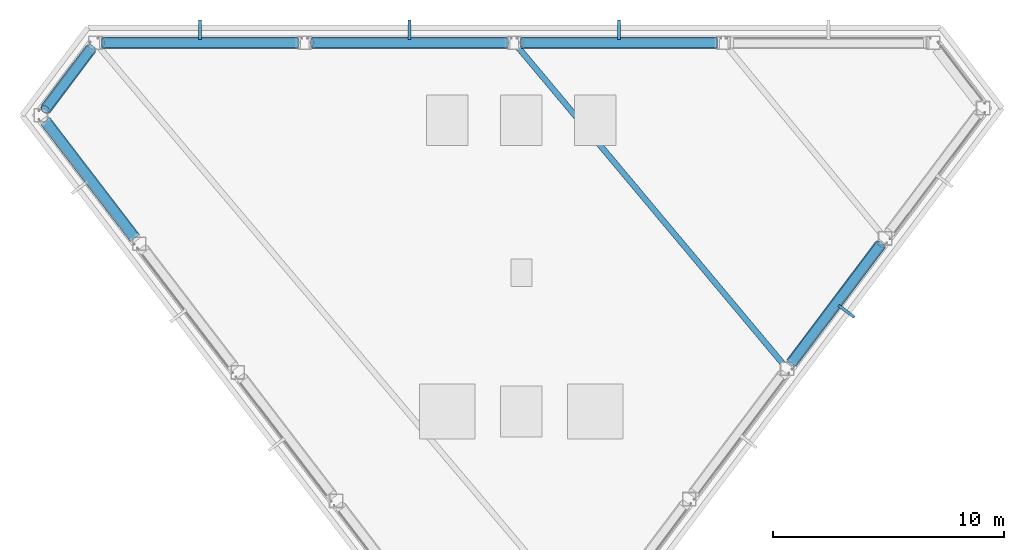
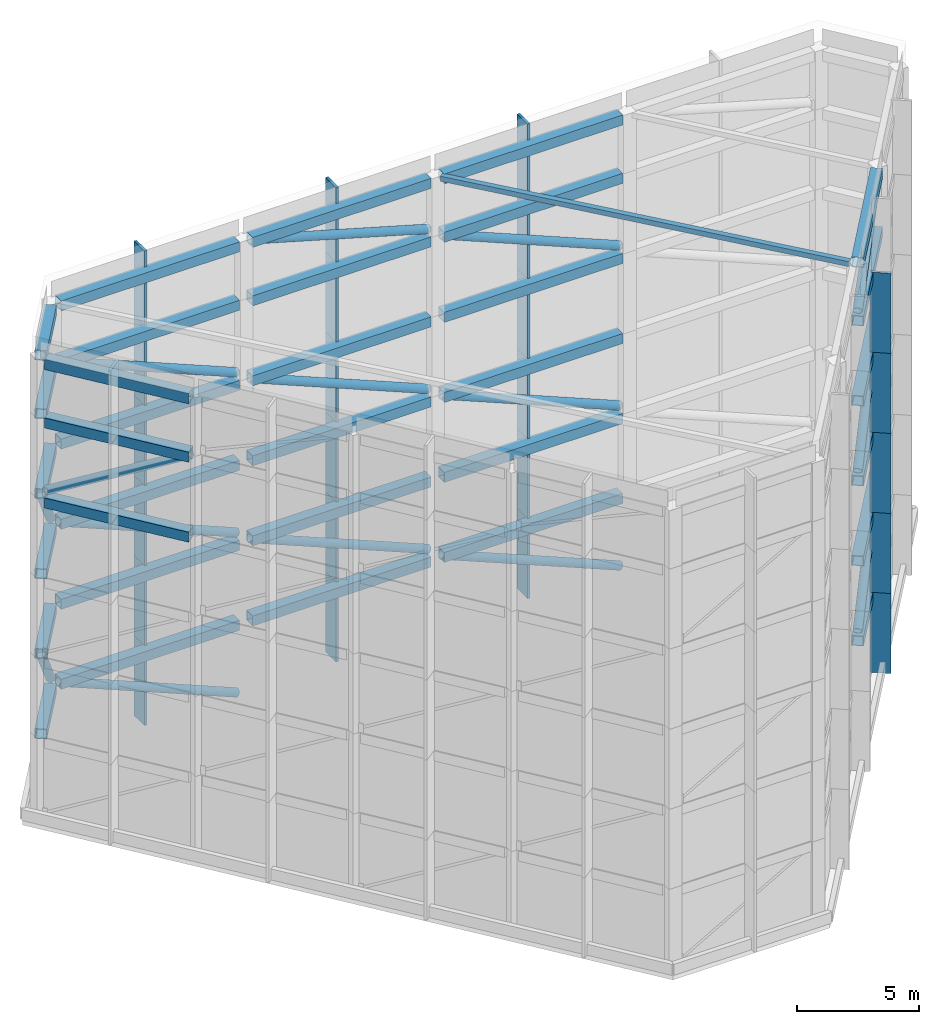
# One storey, part 3 of 6: 40 members, 33 beams, 1 element without a shape of its own.
"""IFC4 building model written with IfcOpenShell, lengths in metres."""

from ifc_helpers import new_model, si_unit, direction, frame, origin, origin_2d, place, context, subcontext, project, spatial, rectangle, hollow_rectangle, hollow_circle, extrude, material, layer, layer_set, material_profile, profile_set, type_object, element, aggregate, save


model = new_model("IFC4")

# Units and contexts
model_context = context("Model", 3, precision=1e-05, world=origin(), true_north=direction((0.0, 1.0)))
body_context = subcontext(model_context, "Body", "Model", "MODEL_VIEW")
ifc_project = project(units=[si_unit("LENGTHUNIT", "METRE"), si_unit("AREAUNIT", "SQUARE_METRE"), si_unit("VOLUMEUNIT", "CUBIC_METRE"), si_unit("PLANEANGLEUNIT", "RADIAN"), si_unit("MASSUNIT", "GRAM", prefix="KILO")], contexts=[model_context])

# Site, building, storey
site_placement = place(None, origin())
site = spatial("IfcSite", under=ifc_project, at=site_placement, CompositionType="ELEMENT")
building_placement = place(site_placement, origin())
building = spatial("IfcBuilding", under=site, at=building_placement, Name="Zarrinselat Tower", CompositionType="ELEMENT")
storey_placement = place(building_placement, frame((0.0, 0.0, 303.280029296875)))
storey = spatial("IfcBuildingStorey", under=building, at=storey_placement, Name="RF", CompositionType="ELEMENT", Elevation=303.280029296875)

# Beams
ifc_material_1 = material(Name="Steel S355J2", Category="steel")
ifc_material_profile_1 = material_profile(ifc_material_1, hollow_rectangle(XDim=0.5, YDim=0.5, WallThickness=0.02490234375, at=origin_2d()), Name="SHS 500x500x25")
ifc_profile_set_1 = profile_set([ifc_material_profile_1], Name="Steel S355J2")
beam_type = type_object("IfcBeamType", Name="BM-CROWN-RING", PredefinedType="BEAM", material=ifc_profile_set_1)
for number, where, z_axis, x_axis, name in (
    (1, (46.838623046875, 46.75, 3.75), (-1.0, 0.0, 0.0), (0.0, -1.0, 0.0), "RF CROWN FRAME Tier 1 Ring Beam R02"),
    (2, (37.779296875, 46.75, 3.75), (-1.0, 0.0, 0.0), (0.0, -1.0, 0.0), "RF CROWN FRAME Tier 1 Ring Beam R03"),
    (3, (28.719970703125, 46.75, 3.75), (-1.0, 0.0, 0.0), (0.0, -1.0, 0.0), "RF CROWN FRAME Tier 1 Ring Beam R04"),
):
    element("IfcBeam", number, at=place(storey_placement, frame(where, z_axis=z_axis, x_axis=x_axis)), inside=storey, type_object=beam_type, Name=name, PredefinedType="BEAM", context=body_context, shape_type="SweptSolid", body=[
        extrude(hollow_rectangle(XDim=0.5, YDim=0.5, WallThickness=0.02490234375, at=origin_2d()), origin(), (0.0, 0.0, 1.0), 8.435302734375),
    ])
beam_1_placement = place(storey_placement, frame((19.78515625, 46.50048828125, 3.75), z_axis=(-0.600864372988, -0.799350990038, 0.0), x_axis=(0.799350990038, -0.600864372988, 0.0)))
element("IfcBeam", 4, at=beam_1_placement, inside=storey, type_object=beam_type, Name="RF CROWN FRAME Tier 1 Ring Beam R05", PredefinedType="BEAM", context=body_context, shape_type="SweptSolid", body=[
    extrude(hollow_rectangle(XDim=0.5, YDim=0.5, WallThickness=0.02490234375, at=origin_2d()), origin(), (0.0, 0.0, 1.0), 3.297607421875),
])
beam_2_placement = place(storey_placement, frame((50.086181640625, 32.89794921875, 3.75), z_axis=(0.600850368573, 0.799361516828, 0.0), x_axis=(-0.799361516828, 0.600850368573, 0.0)))
element("IfcBeam", 5, at=beam_2_placement, inside=storey, type_object=beam_type, Name="RF CROWN FRAME Tier 1 Ring Beam R13", PredefinedType="BEAM", context=body_context, shape_type="SweptSolid", body=[
    extrude(hollow_rectangle(XDim=0.5, YDim=0.5, WallThickness=0.02490234375, at=origin_2d()), origin(), (0.0, 0.0, 1.0), 6.428466796875),
])
for number, where, z_axis, x_axis, name in (
    (6, (46.838623046875, 46.75, 7.75), (-1.0, 0.0, 0.0), (0.0, -1.0, 0.0), "RF CROWN FRAME Tier 2 Ring Beam R02"),
    (7, (37.779296875, 46.75, 7.75), (-1.0, 0.0, 0.0), (0.0, -1.0, 0.0), "RF CROWN FRAME Tier 2 Ring Beam R03"),
    (8, (28.719970703125, 46.75, 7.75), (-1.0, 0.0, 0.0), (0.0, -1.0, 0.0), "RF CROWN FRAME Tier 2 Ring Beam R04"),
):
    element("IfcBeam", number, at=place(storey_placement, frame(where, z_axis=z_axis, x_axis=x_axis)), inside=storey, type_object=beam_type, Name=name, PredefinedType="BEAM", context=body_context, shape_type="SweptSolid", body=[
        extrude(hollow_rectangle(XDim=0.5, YDim=0.5, WallThickness=0.02490234375, at=origin_2d()), origin(), (0.0, 0.0, 1.0), 8.435302734375),
    ])
beam_3_placement = place(storey_placement, frame((19.78515625, 46.50048828125, 7.75), z_axis=(-0.600864372988, -0.799350990038, 0.0), x_axis=(0.799350990038, -0.600864372988, 0.0)))
element("IfcBeam", 9, at=beam_3_placement, inside=storey, type_object=beam_type, Name="RF CROWN FRAME Tier 2 Ring Beam R05", PredefinedType="BEAM", context=body_context, shape_type="SweptSolid", body=[
    extrude(hollow_rectangle(XDim=0.5, YDim=0.5, WallThickness=0.02490234375, at=origin_2d()), origin(), (0.0, 0.0, 1.0), 3.297607421875),
])
beam_4_placement = place(storey_placement, frame((50.086181640625, 32.89794921875, 7.75), z_axis=(0.600850368573, 0.799361516828, 0.0), x_axis=(-0.799361516828, 0.600850368573, 0.0)))
element("IfcBeam", 10, at=beam_4_placement, inside=storey, type_object=beam_type, Name="RF CROWN FRAME Tier 2 Ring Beam R13", PredefinedType="BEAM", context=body_context, shape_type="SweptSolid", body=[
    extrude(hollow_rectangle(XDim=0.5, YDim=0.5, WallThickness=0.02490234375, at=origin_2d()), origin(), (0.0, 0.0, 1.0), 6.428466796875),
])
for number, where, z_axis, x_axis, name in (
    (11, (46.838623046875, 46.75, 11.75), (-1.0, 0.0, 0.0), (0.0, -1.0, 0.0), "RF CROWN FRAME Tier 3 Ring Beam R02"),
    (12, (37.779296875, 46.75, 11.75), (-1.0, 0.0, 0.0), (0.0, -1.0, 0.0), "RF CROWN FRAME Tier 3 Ring Beam R03"),
    (13, (28.719970703125, 46.75, 11.75), (-1.0, 0.0, 0.0), (0.0, -1.0, 0.0), "RF CROWN FRAME Tier 3 Ring Beam R04"),
):
    element("IfcBeam", number, at=place(storey_placement, frame(where, z_axis=z_axis, x_axis=x_axis)), inside=storey, type_object=beam_type, Name=name, PredefinedType="BEAM", context=body_context, shape_type="SweptSolid", body=[
        extrude(hollow_rectangle(XDim=0.5, YDim=0.5, WallThickness=0.02490234375, at=origin_2d()), origin(), (0.0, 0.0, 1.0), 8.435302734375),
    ])
beam_5_placement = place(storey_placement, frame((19.78515625, 46.50048828125, 11.75), z_axis=(-0.600864372988, -0.799350990038, 0.0), x_axis=(0.799350990038, -0.600864372988, 0.0)))
element("IfcBeam", 14, at=beam_5_placement, inside=storey, type_object=beam_type, Name="RF CROWN FRAME Tier 3 Ring Beam R05", PredefinedType="BEAM", context=body_context, shape_type="SweptSolid", body=[
    extrude(hollow_rectangle(XDim=0.5, YDim=0.5, WallThickness=0.02490234375, at=origin_2d()), origin(), (0.0, 0.0, 1.0), 3.297607421875),
])
beam_6_placement = place(storey_placement, frame((50.086181640625, 32.89794921875, 11.75), z_axis=(0.600850368573, 0.799361516828, 0.0), x_axis=(-0.799361516828, 0.600850368573, 0.0)))
element("IfcBeam", 15, at=beam_6_placement, inside=storey, type_object=beam_type, Name="RF CROWN FRAME Tier 3 Ring Beam R13", PredefinedType="BEAM", context=body_context, shape_type="SweptSolid", body=[
    extrude(hollow_rectangle(XDim=0.5, YDim=0.5, WallThickness=0.02490234375, at=origin_2d()), origin(), (0.0, 0.0, 1.0), 6.428466796875),
])
for number, where, z_axis, x_axis, name in (
    (16, (46.838623046875, 46.75, 15.75), (-1.0, 0.0, 0.0), (0.0, -1.0, 0.0), "RF CROWN FRAME Tier 4 Ring Beam R02"),
    (17, (37.779296875, 46.75, 15.75), (-1.0, 0.0, 0.0), (0.0, -1.0, 0.0), "RF CROWN FRAME Tier 4 Ring Beam R03"),
    (18, (28.719970703125, 46.75, 15.75), (-1.0, 0.0, 0.0), (0.0, -1.0, 0.0), "RF CROWN FRAME Tier 4 Ring Beam R04"),
):
    element("IfcBeam", number, at=place(storey_placement, frame(where, z_axis=z_axis, x_axis=x_axis)), inside=storey, type_object=beam_type, Name=name, PredefinedType="BEAM", context=body_context, shape_type="SweptSolid", body=[
        extrude(hollow_rectangle(XDim=0.5, YDim=0.5, WallThickness=0.02490234375, at=origin_2d()), origin(), (0.0, 0.0, 1.0), 8.435302734375),
    ])
beam_7_placement = place(storey_placement, frame((19.78515625, 46.50048828125, 15.75), z_axis=(-0.600864372988, -0.799350990038, 0.0), x_axis=(0.799350990038, -0.600864372988, 0.0)))
element("IfcBeam", 19, at=beam_7_placement, inside=storey, type_object=beam_type, Name="RF CROWN FRAME Tier 4 Ring Beam R05", PredefinedType="BEAM", context=body_context, shape_type="SweptSolid", body=[
    extrude(hollow_rectangle(XDim=0.5, YDim=0.5, WallThickness=0.02490234375, at=origin_2d()), origin(), (0.0, 0.0, 1.0), 3.297607421875),
])
beam_8_placement = place(storey_placement, frame((17.805908203125, 43.367431640625, 15.75), z_axis=(0.60789466781, -0.794017677919, 0.0), x_axis=(0.794017677919, 0.60789466781, 0.0)))
element("IfcBeam", 20, at=beam_8_placement, inside=storey, type_object=beam_type, Name="RF CROWN FRAME Tier 4 Ring Beam R06", PredefinedType="BEAM", context=body_context, shape_type="SweptSolid", body=[
    extrude(hollow_rectangle(XDim=0.5, YDim=0.5, WallThickness=0.02490234375, at=origin_2d()), origin(), (0.0, 0.0, 1.0), 6.37890625),
])
beam_9_placement = place(storey_placement, frame((50.086181640625, 32.89794921875, 15.75), z_axis=(0.600850368573, 0.799361516828, 0.0), x_axis=(-0.799361516828, 0.600850368573, 0.0)))
element("IfcBeam", 21, at=beam_9_placement, inside=storey, type_object=beam_type, Name="RF CROWN FRAME Tier 4 Ring Beam R13", PredefinedType="BEAM", context=body_context, shape_type="SweptSolid", body=[
    extrude(hollow_rectangle(XDim=0.5, YDim=0.5, WallThickness=0.02490234375, at=origin_2d()), origin(), (0.0, 0.0, 1.0), 6.428466796875),
])
for number, where, z_axis, x_axis, name in (
    (22, (46.838623046875, 46.75, 19.75), (-1.0, 0.0, 0.0), (0.0, -1.0, 0.0), "RF CROWN FRAME Tier 5 Ring Beam R02"),
    (23, (37.779296875, 46.75, 19.75), (-1.0, 0.0, 0.0), (0.0, -1.0, 0.0), "RF CROWN FRAME Tier 5 Ring Beam R03"),
    (24, (28.719970703125, 46.75, 19.75), (-1.0, 0.0, 0.0), (0.0, -1.0, 0.0), "RF CROWN FRAME Tier 5 Ring Beam R04"),
):
    element("IfcBeam", number, at=place(storey_placement, frame(where, z_axis=z_axis, x_axis=x_axis)), inside=storey, type_object=beam_type, Name=name, PredefinedType="BEAM", context=body_context, shape_type="SweptSolid", body=[
        extrude(hollow_rectangle(XDim=0.5, YDim=0.5, WallThickness=0.02490234375, at=origin_2d()), origin(), (0.0, 0.0, 1.0), 8.435302734375),
    ])
beam_10_placement = place(storey_placement, frame((19.78515625, 46.50048828125, 19.75), z_axis=(-0.600864372988, -0.799350990038, 0.0), x_axis=(0.799350990038, -0.600864372988, 0.0)))
element("IfcBeam", 25, at=beam_10_placement, inside=storey, type_object=beam_type, Name="RF CROWN FRAME Tier 5 Ring Beam R05", PredefinedType="BEAM", context=body_context, shape_type="SweptSolid", body=[
    extrude(hollow_rectangle(XDim=0.5, YDim=0.5, WallThickness=0.02490234375, at=origin_2d()), origin(), (0.0, 0.0, 1.0), 3.297607421875),
])
beam_11_placement = place(storey_placement, frame((17.805908203125, 43.367431640625, 19.75), z_axis=(0.60789466781, -0.794017677919, 0.0), x_axis=(0.794017677919, 0.60789466781, 0.0)))
element("IfcBeam", 26, at=beam_11_placement, inside=storey, type_object=beam_type, Name="RF CROWN FRAME Tier 5 Ring Beam R06", PredefinedType="BEAM", context=body_context, shape_type="SweptSolid", body=[
    extrude(hollow_rectangle(XDim=0.5, YDim=0.5, WallThickness=0.02490234375, at=origin_2d()), origin(), (0.0, 0.0, 1.0), 6.37890625),
])
beam_12_placement = place(storey_placement, frame((50.086181640625, 32.89794921875, 19.75), z_axis=(0.600850368573, 0.799361516828, 0.0), x_axis=(-0.799361516828, 0.600850368573, 0.0)))
element("IfcBeam", 27, at=beam_12_placement, inside=storey, type_object=beam_type, Name="RF CROWN FRAME Tier 5 Ring Beam R13", PredefinedType="BEAM", context=body_context, shape_type="SweptSolid", body=[
    extrude(hollow_rectangle(XDim=0.5, YDim=0.5, WallThickness=0.02490234375, at=origin_2d()), origin(), (0.0, 0.0, 1.0), 6.428466796875),
])
for number, where, z_axis, x_axis, name in (
    (28, (46.838623046875, 46.75, 22.669921875), (-1.0, 0.0, 0.0), (0.0, -1.0, 0.0), "RF CROWN FRAME Tier 6 Ring Beam R02"),
    (29, (37.779296875, 46.75, 22.669921875), (-1.0, 0.0, 0.0), (0.0, -1.0, 0.0), "RF CROWN FRAME Tier 6 Ring Beam R03"),
    (30, (28.719970703125, 46.75, 22.669921875), (-1.0, 0.0, 0.0), (0.0, -1.0, 0.0), "RF CROWN FRAME Tier 6 Ring Beam R04"),
):
    element("IfcBeam", number, at=place(storey_placement, frame(where, z_axis=z_axis, x_axis=x_axis)), inside=storey, type_object=beam_type, Name=name, PredefinedType="BEAM", context=body_context, shape_type="SweptSolid", body=[
        extrude(hollow_rectangle(XDim=0.5, YDim=0.5, WallThickness=0.02490234375, at=origin_2d()), origin(), (0.0, 0.0, 1.0), 8.435302734375),
    ])
beam_13_placement = place(storey_placement, frame((19.78515625, 46.50048828125, 22.669921875), z_axis=(-0.600864372988, -0.799350990038, 0.0), x_axis=(0.799350990038, -0.600864372988, 0.0)))
element("IfcBeam", 31, at=beam_13_placement, inside=storey, type_object=beam_type, Name="RF CROWN FRAME Tier 6 Ring Beam R05", PredefinedType="BEAM", context=body_context, shape_type="SweptSolid", body=[
    extrude(hollow_rectangle(XDim=0.5, YDim=0.5, WallThickness=0.02490234375, at=origin_2d()), origin(), (0.0, 0.0, 1.0), 3.297607421875),
])
beam_14_placement = place(storey_placement, frame((17.805908203125, 43.367431640625, 22.669921875), z_axis=(0.60789466781, -0.794017677919, 0.0), x_axis=(0.794017677919, 0.60789466781, 0.0)))
element("IfcBeam", 32, at=beam_14_placement, inside=storey, type_object=beam_type, Name="RF CROWN FRAME Tier 6 Ring Beam R06", PredefinedType="BEAM", context=body_context, shape_type="SweptSolid", body=[
    extrude(hollow_rectangle(XDim=0.5, YDim=0.5, WallThickness=0.02490234375, at=origin_2d()), origin(), (0.0, 0.0, 1.0), 6.37890625),
])
beam_15_placement = place(storey_placement, frame((50.086181640625, 32.89794921875, 22.669921875), z_axis=(0.600850368573, 0.799361516828, 0.0), x_axis=(-0.799361516828, 0.600850368573, 0.0)))
element("IfcBeam", 33, at=beam_15_placement, inside=storey, type_object=beam_type, Name="RF CROWN FRAME Tier 6 Ring Beam R13", PredefinedType="BEAM", context=body_context, shape_type="SweptSolid", body=[
    extrude(hollow_rectangle(XDim=0.5, YDim=0.5, WallThickness=0.02490234375, at=origin_2d()), origin(), (0.0, 0.0, 1.0), 6.428466796875),
])

# Members
ifc_material_2 = material(Name="Steel S355J2", Category="steel")
ifc_material_profile_2 = material_profile(ifc_material_2, hollow_rectangle(XDim=0.25, YDim=0.25, WallThickness=0.012451171875, at=origin_2d()), Name="SHS 250x250x12.5")
ifc_profile_set_2 = profile_set([ifc_material_profile_2], Name="Steel S355J2")
member_type_1 = type_object("IfcMemberType", Name="MEM-CAP-PURLIN", PredefinedType="PURLIN", material=ifc_profile_set_2)
member_1_placement = place(storey_placement, frame((38.277587890625, 46.527587890625, 22.794921875), z_axis=(0.641978446629, -0.766722683937, 0.0), x_axis=(0.766722683937, 0.641978446629, 0.0)))
element("IfcMember", 34, at=member_1_placement, inside=storey, type_object=member_type_1, Name="RF CROWN FRAME Cap Purlin 2", PredefinedType="PURLIN", context=body_context, shape_type="SweptSolid", body=[
    extrude(hollow_rectangle(XDim=0.25, YDim=0.25, WallThickness=0.012451171875, at=origin_2d()), origin(), (0.0, 0.0, 1.0), 17.811767578125),
])
ifc_material_3 = material(Name="Steel S355J2", Category="steel")
ifc_material_profile_3 = material_profile(ifc_material_3, hollow_circle(Radius=0.203125, WallThickness=0.01611328125, at=origin_2d()), Name="CHS 406.4x16")
ifc_profile_set_3 = profile_set([ifc_material_profile_3], Name="Steel S355J2")
member_type_2 = type_object("IfcMemberType", Name="MEM-CROWN-BRACE", PredefinedType="BRACE", material=ifc_profile_set_3)
for number, where, z_axis, x_axis, name in (
    (35, (46.838623046875, 46.75, 0.25), (-0.923647733405, 0.0, 0.383242566238), (0.0, -1.0, 0.0), "RF CROWN FRAME Tier 1 Diagonal Brace B02"),
    (36, (28.719970703125, 46.75, 0.25), (-0.923647733405, 0.0, 0.383242566238), (0.0, -1.0, 0.0), "RF CROWN FRAME Tier 1 Diagonal Brace B04"),
    (37, (37.779296875, 46.75, 4.25), (-0.923647733405, 0.0, 0.383242566238), (0.0, -1.0, 0.0), "RF CROWN FRAME Tier 2 Diagonal Brace B03"),
):
    element("IfcMember", number, at=place(storey_placement, frame(where, z_axis=z_axis, x_axis=x_axis)), inside=storey, type_object=member_type_2, Name=name, PredefinedType="BRACE", context=body_context, shape_type="SweptSolid", body=[
        extrude(hollow_circle(Radius=0.203125, WallThickness=0.01611328125, at=origin_2d()), origin(), (0.0, 0.0, 1.0), 9.132568359375),
    ])
member_2_placement = place(storey_placement, frame((19.78515625, 46.50048828125, 4.25), z_axis=(-0.412045760872, -0.548158955166, 0.727832433201), x_axis=(0.799350990038, -0.600864372988, 0.0)))
element("IfcMember", 38, at=member_2_placement, inside=storey, type_object=member_type_2, Name="RF CROWN FRAME Tier 2 Diagonal Brace B05", PredefinedType="BRACE", context=body_context, shape_type="SweptSolid", body=[
    extrude(hollow_circle(Radius=0.203125, WallThickness=0.01611328125, at=origin_2d()), origin(), (0.0, 0.0, 1.0), 4.808837890625),
])
member_3_placement = place(storey_placement, frame((50.086181640625, 32.89794921875, 4.25), z_axis=(0.527705902679, 0.70205131405, 0.478174061109), x_axis=(-0.799361516828, 0.600850368573, 0.0)))
element("IfcMember", 39, at=member_3_placement, inside=storey, type_object=member_type_2, Name="RF CROWN FRAME Tier 2 Diagonal Brace B13", PredefinedType="BRACE", context=body_context, shape_type="SweptSolid", body=[
    extrude(hollow_circle(Radius=0.203125, WallThickness=0.01611328125, at=origin_2d()), origin(), (0.0, 0.0, 1.0), 7.319580078125),
])
for number, where, z_axis, x_axis, name in (
    (40, (46.838623046875, 46.75, 8.25), (-0.923647733405, 0.0, 0.383242566238), (0.0, -1.0, 0.0), "RF CROWN FRAME Tier 3 Diagonal Brace B02"),
    (41, (28.719970703125, 46.75, 8.25), (-0.923647733405, 0.0, 0.383242566238), (0.0, -1.0, 0.0), "RF CROWN FRAME Tier 3 Diagonal Brace B04"),
    (42, (37.779296875, 46.75, 12.25), (-0.923647733405, 0.0, 0.383242566238), (0.0, -1.0, 0.0), "RF CROWN FRAME Tier 4 Diagonal Brace B03"),
):
    element("IfcMember", number, at=place(storey_placement, frame(where, z_axis=z_axis, x_axis=x_axis)), inside=storey, type_object=member_type_2, Name=name, PredefinedType="BRACE", context=body_context, shape_type="SweptSolid", body=[
        extrude(hollow_circle(Radius=0.203125, WallThickness=0.01611328125, at=origin_2d()), origin(), (0.0, 0.0, 1.0), 9.132568359375),
    ])
member_4_placement = place(storey_placement, frame((19.78515625, 46.50048828125, 12.25), z_axis=(-0.412045760872, -0.548158955166, 0.727832433201), x_axis=(0.799350990038, -0.600864372988, 0.0)))
element("IfcMember", 43, at=member_4_placement, inside=storey, type_object=member_type_2, Name="RF CROWN FRAME Tier 4 Diagonal Brace B05", PredefinedType="BRACE", context=body_context, shape_type="SweptSolid", body=[
    extrude(hollow_circle(Radius=0.203125, WallThickness=0.01611328125, at=origin_2d()), origin(), (0.0, 0.0, 1.0), 4.808837890625),
])
member_5_placement = place(storey_placement, frame((50.086181640625, 32.89794921875, 12.25), z_axis=(0.527705902679, 0.70205131405, 0.478174061109), x_axis=(-0.799361516828, 0.600850368573, 0.0)))
element("IfcMember", 44, at=member_5_placement, inside=storey, type_object=member_type_2, Name="RF CROWN FRAME Tier 4 Diagonal Brace B13", PredefinedType="BRACE", context=body_context, shape_type="SweptSolid", body=[
    extrude(hollow_circle(Radius=0.203125, WallThickness=0.01611328125, at=origin_2d()), origin(), (0.0, 0.0, 1.0), 7.319580078125),
])
for number, where, z_axis, x_axis, name in (
    (45, (46.838623046875, 46.75, 16.25), (-0.923647733405, 0.0, 0.383242566238), (0.0, -1.0, 0.0), "RF CROWN FRAME Tier 5 Diagonal Brace B02"),
    (46, (28.719970703125, 46.75, 16.25), (-0.923647733405, 0.0, 0.383242566238), (0.0, -1.0, 0.0), "RF CROWN FRAME Tier 5 Diagonal Brace B04"),
):
    element("IfcMember", number, at=place(storey_placement, frame(where, z_axis=z_axis, x_axis=x_axis)), inside=storey, type_object=member_type_2, Name=name, PredefinedType="BRACE", context=body_context, shape_type="SweptSolid", body=[
        extrude(hollow_circle(Radius=0.203125, WallThickness=0.01611328125, at=origin_2d()), origin(), (0.0, 0.0, 1.0), 9.132568359375),
    ])
member_6_placement = place(storey_placement, frame((17.805908203125, 43.367431640625, 16.25), z_axis=(0.532942438899, -0.696116844262, 0.481033986279), x_axis=(0.794017677919, 0.60789466781, 0.0)))
element("IfcMember", 47, at=member_6_placement, inside=storey, type_object=member_type_2, Name="RF CROWN FRAME Tier 5 Diagonal Brace B06", PredefinedType="BRACE", context=body_context, shape_type="SweptSolid", body=[
    extrude(hollow_circle(Radius=0.203125, WallThickness=0.01611328125, at=origin_2d()), origin(), (0.0, 0.0, 1.0), 7.27587890625),
])
member_7_placement = place(storey_placement, frame((37.779296875, 46.75, 20.25), z_axis=(-0.961227336825, 0.0, 0.275757152112), x_axis=(0.0, -1.0, 0.0)))
element("IfcMember", 48, at=member_7_placement, inside=storey, type_object=member_type_2, Name="RF CROWN FRAME Tier 6 Diagonal Brace B03", PredefinedType="BRACE", context=body_context, shape_type="SweptSolid", body=[
    extrude(hollow_circle(Radius=0.203125, WallThickness=0.01611328125, at=origin_2d()), origin(), (0.0, 0.0, 1.0), 8.775634765625),
])
member_8_placement = place(storey_placement, frame((19.78515625, 46.50048828125, 20.25), z_axis=(-0.484425174592, -0.644447832685, 0.591624239842), x_axis=(0.799350990038, -0.600864372988, 0.0)))
element("IfcMember", 49, at=member_8_placement, inside=storey, type_object=member_type_2, Name="RF CROWN FRAME Tier 6 Diagonal Brace B05", PredefinedType="BRACE", context=body_context, shape_type="SweptSolid", body=[
    extrude(hollow_circle(Radius=0.203125, WallThickness=0.01611328125, at=origin_2d()), origin(), (0.0, 0.0, 1.0), 4.09033203125),
])
member_9_placement = place(storey_placement, frame((50.086181640625, 32.89794921875, 20.25), z_axis=(0.562327396706, 0.748111184241, 0.352303214472), x_axis=(-0.799361516828, 0.600850368573, 0.0)))
element("IfcMember", 50, at=member_9_placement, inside=storey, type_object=member_type_2, Name="RF CROWN FRAME Tier 6 Diagonal Brace B13", PredefinedType="BRACE", context=body_context, shape_type="SweptSolid", body=[
    extrude(hollow_circle(Radius=0.203125, WallThickness=0.01611328125, at=origin_2d()), origin(), (0.0, 0.0, 1.0), 6.868896484375),
])

# Curtain wall, members
ifc_material_4 = material(Name="Extruded Aluminium Alloy EN AW-6063 T6", Category="aluminium")
ifc_layer = layer(ifc_material_4, 0.199951171875)
ifc_layer_set = layer_set([ifc_layer], Name="Extruded Aluminium Alloy EN AW-6063 T6")
curtain_wall_type = type_object("IfcCurtainWallType", Name="CWS-BLADE", PredefinedType="NOTDEFINED", material=ifc_layer_set)
curtain_wall_placement = place(storey_placement, origin())
curtain_wall = element("IfcCurtainWall", 51, at=curtain_wall_placement, inside=storey, type_object=curtain_wall_type, Name="RF Crown Fin Assembly", PredefinedType="NOTDEFINED")
ifc_material_5 = material(Name="Honed Cream Travertine Stone", Category="masonry")
ifc_material_profile_4 = material_profile(ifc_material_5, rectangle(XDim=0.1201171875, YDim=0.85009765625, at=origin_2d()), Name="FIN 850x120")
ifc_profile_set_4 = profile_set([ifc_material_profile_4], Name="Honed Cream Travertine Stone")
member_type_3 = type_object("IfcMemberType", Name="MEM-STONE-FIN", PredefinedType="USERDEFINED", material=ifc_profile_set_4)
member_10_placement = place(storey_placement, frame((42.620849609375, 47.31005859375, 0.0), z_axis=(0.0, 0.0, 1.0), x_axis=(1.0, 0.0, 0.0)))
member_10 = element("IfcMember", 52, at=member_10_placement, type_object=member_type_3, Name="RF CROWN FIN Stone Blade T1-B02", ObjectType="FIN", PredefinedType="USERDEFINED", context=body_context, shape_type="SweptSolid", body=[
    extrude(rectangle(XDim=0.1201171875, YDim=0.85009765625, at=origin_2d()), origin(), (0.0, 0.0, 1.0), 4.0),
])
member_11_placement = place(storey_placement, frame((33.561767578125, 47.31005859375, 0.0), z_axis=(0.0, 0.0, 1.0), x_axis=(1.0, 0.0, 0.0)))
member_11 = element("IfcMember", 53, at=member_11_placement, type_object=member_type_3, Name="RF CROWN FIN Stone Blade T1-B03", ObjectType="FIN", PredefinedType="USERDEFINED", context=body_context, shape_type="SweptSolid", body=[
    extrude(rectangle(XDim=0.1201171875, YDim=0.85009765625, at=origin_2d()), origin(), (0.0, 0.0, 1.0), 4.0),
])
member_12_placement = place(storey_placement, frame((24.502197265625, 47.31005859375, 0.0), z_axis=(0.0, 0.0, 1.0), x_axis=(1.0, 0.0, 0.0)))
member_12 = element("IfcMember", 54, at=member_12_placement, type_object=member_type_3, Name="RF CROWN FIN Stone Blade T1-B04", ObjectType="FIN", PredefinedType="USERDEFINED", context=body_context, shape_type="SweptSolid", body=[
    extrude(rectangle(XDim=0.1201171875, YDim=0.85009765625, at=origin_2d()), origin(), (0.0, 0.0, 1.0), 4.0),
])
member_13_placement = place(storey_placement, frame((52.465087890625, 35.130859375, 0.0), z_axis=(0.0, 0.0, 1.0), x_axis=(-0.60085267235, -0.799359785159, 0.0)))
member_13 = element("IfcMember", 55, at=member_13_placement, type_object=member_type_3, Name="RF CROWN FIN Stone Blade T1-B13", ObjectType="FIN", PredefinedType="USERDEFINED", context=body_context, shape_type="SweptSolid", body=[
    extrude(rectangle(XDim=0.1201171875, YDim=0.85009765625, at=origin_2d()), origin(), (0.0, 0.0, 1.0), 4.0),
])
member_14_placement = place(storey_placement, frame((42.620849609375, 47.31005859375, 4.0), z_axis=(0.0, 0.0, 1.0), x_axis=(1.0, 0.0, 0.0)))
member_14 = element("IfcMember", 56, at=member_14_placement, type_object=member_type_3, Name="RF CROWN FIN Stone Blade T2-B02", ObjectType="FIN", PredefinedType="USERDEFINED", context=body_context, shape_type="SweptSolid", body=[
    extrude(rectangle(XDim=0.1201171875, YDim=0.85009765625, at=origin_2d()), origin(), (0.0, 0.0, 1.0), 4.0),
])
member_15_placement = place(storey_placement, frame((33.561767578125, 47.31005859375, 4.0), z_axis=(0.0, 0.0, 1.0), x_axis=(1.0, 0.0, 0.0)))
member_15 = element("IfcMember", 57, at=member_15_placement, type_object=member_type_3, Name="RF CROWN FIN Stone Blade T2-B03", ObjectType="FIN", PredefinedType="USERDEFINED", context=body_context, shape_type="SweptSolid", body=[
    extrude(rectangle(XDim=0.1201171875, YDim=0.85009765625, at=origin_2d()), origin(), (0.0, 0.0, 1.0), 4.0),
])
member_16_placement = place(storey_placement, frame((24.502197265625, 47.31005859375, 4.0), z_axis=(0.0, 0.0, 1.0), x_axis=(1.0, 0.0, 0.0)))
member_16 = element("IfcMember", 58, at=member_16_placement, type_object=member_type_3, Name="RF CROWN FIN Stone Blade T2-B04", ObjectType="FIN", PredefinedType="USERDEFINED", context=body_context, shape_type="SweptSolid", body=[
    extrude(rectangle(XDim=0.1201171875, YDim=0.85009765625, at=origin_2d()), origin(), (0.0, 0.0, 1.0), 4.0),
])
member_17_placement = place(storey_placement, frame((52.465087890625, 35.130859375, 4.0), z_axis=(0.0, 0.0, 1.0), x_axis=(-0.60085267235, -0.799359785159, 0.0)))
member_17 = element("IfcMember", 59, at=member_17_placement, type_object=member_type_3, Name="RF CROWN FIN Stone Blade T2-B13", ObjectType="FIN", PredefinedType="USERDEFINED", context=body_context, shape_type="SweptSolid", body=[
    extrude(rectangle(XDim=0.1201171875, YDim=0.85009765625, at=origin_2d()), origin(), (0.0, 0.0, 1.0), 4.0),
])
member_18_placement = place(storey_placement, frame((42.620849609375, 47.31005859375, 8.0), z_axis=(0.0, 0.0, 1.0), x_axis=(1.0, 0.0, 0.0)))
member_18 = element("IfcMember", 60, at=member_18_placement, type_object=member_type_3, Name="RF CROWN FIN Stone Blade T3-B02", ObjectType="FIN", PredefinedType="USERDEFINED", context=body_context, shape_type="SweptSolid", body=[
    extrude(rectangle(XDim=0.1201171875, YDim=0.85009765625, at=origin_2d()), origin(), (0.0, 0.0, 1.0), 4.0),
])
member_19_placement = place(storey_placement, frame((33.561767578125, 47.31005859375, 8.0), z_axis=(0.0, 0.0, 1.0), x_axis=(1.0, 0.0, 0.0)))
member_19 = element("IfcMember", 61, at=member_19_placement, type_object=member_type_3, Name="RF CROWN FIN Stone Blade T3-B03", ObjectType="FIN", PredefinedType="USERDEFINED", context=body_context, shape_type="SweptSolid", body=[
    extrude(rectangle(XDim=0.1201171875, YDim=0.85009765625, at=origin_2d()), origin(), (0.0, 0.0, 1.0), 4.0),
])
member_20_placement = place(storey_placement, frame((24.502197265625, 47.31005859375, 8.0), z_axis=(0.0, 0.0, 1.0), x_axis=(1.0, 0.0, 0.0)))
member_20 = element("IfcMember", 62, at=member_20_placement, type_object=member_type_3, Name="RF CROWN FIN Stone Blade T3-B04", ObjectType="FIN", PredefinedType="USERDEFINED", context=body_context, shape_type="SweptSolid", body=[
    extrude(rectangle(XDim=0.1201171875, YDim=0.85009765625, at=origin_2d()), origin(), (0.0, 0.0, 1.0), 4.0),
])
member_21_placement = place(storey_placement, frame((52.465087890625, 35.130859375, 8.0), z_axis=(0.0, 0.0, 1.0), x_axis=(-0.60085267235, -0.799359785159, 0.0)))
member_21 = element("IfcMember", 63, at=member_21_placement, type_object=member_type_3, Name="RF CROWN FIN Stone Blade T3-B13", ObjectType="FIN", PredefinedType="USERDEFINED", context=body_context, shape_type="SweptSolid", body=[
    extrude(rectangle(XDim=0.1201171875, YDim=0.85009765625, at=origin_2d()), origin(), (0.0, 0.0, 1.0), 4.0),
])
member_22_placement = place(storey_placement, frame((42.620849609375, 47.31005859375, 12.0), z_axis=(0.0, 0.0, 1.0), x_axis=(1.0, 0.0, 0.0)))
member_22 = element("IfcMember", 64, at=member_22_placement, type_object=member_type_3, Name="RF CROWN FIN Stone Blade T4-B02", ObjectType="FIN", PredefinedType="USERDEFINED", context=body_context, shape_type="SweptSolid", body=[
    extrude(rectangle(XDim=0.1201171875, YDim=0.85009765625, at=origin_2d()), origin(), (0.0, 0.0, 1.0), 4.0),
])
member_23_placement = place(storey_placement, frame((33.561767578125, 47.31005859375, 12.0), z_axis=(0.0, 0.0, 1.0), x_axis=(1.0, 0.0, 0.0)))
member_23 = element("IfcMember", 65, at=member_23_placement, type_object=member_type_3, Name="RF CROWN FIN Stone Blade T4-B03", ObjectType="FIN", PredefinedType="USERDEFINED", context=body_context, shape_type="SweptSolid", body=[
    extrude(rectangle(XDim=0.1201171875, YDim=0.85009765625, at=origin_2d()), origin(), (0.0, 0.0, 1.0), 4.0),
])
member_24_placement = place(storey_placement, frame((24.502197265625, 47.31005859375, 12.0), z_axis=(0.0, 0.0, 1.0), x_axis=(1.0, 0.0, 0.0)))
member_24 = element("IfcMember", 66, at=member_24_placement, type_object=member_type_3, Name="RF CROWN FIN Stone Blade T4-B04", ObjectType="FIN", PredefinedType="USERDEFINED", context=body_context, shape_type="SweptSolid", body=[
    extrude(rectangle(XDim=0.1201171875, YDim=0.85009765625, at=origin_2d()), origin(), (0.0, 0.0, 1.0), 4.0),
])
member_25_placement = place(storey_placement, frame((52.465087890625, 35.130859375, 12.0), z_axis=(0.0, 0.0, 1.0), x_axis=(-0.60085267235, -0.799359785159, 0.0)))
member_25 = element("IfcMember", 67, at=member_25_placement, type_object=member_type_3, Name="RF CROWN FIN Stone Blade T4-B13", ObjectType="FIN", PredefinedType="USERDEFINED", context=body_context, shape_type="SweptSolid", body=[
    extrude(rectangle(XDim=0.1201171875, YDim=0.85009765625, at=origin_2d()), origin(), (0.0, 0.0, 1.0), 4.0),
])
member_26_placement = place(storey_placement, frame((42.620849609375, 47.31005859375, 16.0), z_axis=(0.0, 0.0, 1.0), x_axis=(1.0, 0.0, 0.0)))
member_26 = element("IfcMember", 68, at=member_26_placement, type_object=member_type_3, Name="RF CROWN FIN Stone Blade T5-B02", ObjectType="FIN", PredefinedType="USERDEFINED", context=body_context, shape_type="SweptSolid", body=[
    extrude(rectangle(XDim=0.1201171875, YDim=0.85009765625, at=origin_2d()), origin(), (0.0, 0.0, 1.0), 4.0),
])
member_27_placement = place(storey_placement, frame((33.561767578125, 47.31005859375, 16.0), z_axis=(0.0, 0.0, 1.0), x_axis=(1.0, 0.0, 0.0)))
member_27 = element("IfcMember", 69, at=member_27_placement, type_object=member_type_3, Name="RF CROWN FIN Stone Blade T5-B03", ObjectType="FIN", PredefinedType="USERDEFINED", context=body_context, shape_type="SweptSolid", body=[
    extrude(rectangle(XDim=0.1201171875, YDim=0.85009765625, at=origin_2d()), origin(), (0.0, 0.0, 1.0), 4.0),
])
member_28_placement = place(storey_placement, frame((24.502197265625, 47.31005859375, 16.0), z_axis=(0.0, 0.0, 1.0), x_axis=(1.0, 0.0, 0.0)))
member_28 = element("IfcMember", 70, at=member_28_placement, type_object=member_type_3, Name="RF CROWN FIN Stone Blade T5-B04", ObjectType="FIN", PredefinedType="USERDEFINED", context=body_context, shape_type="SweptSolid", body=[
    extrude(rectangle(XDim=0.1201171875, YDim=0.85009765625, at=origin_2d()), origin(), (0.0, 0.0, 1.0), 4.0),
])
member_29_placement = place(storey_placement, frame((52.465087890625, 35.130859375, 16.0), z_axis=(0.0, 0.0, 1.0), x_axis=(-0.60085267235, -0.799359785159, 0.0)))
member_29 = element("IfcMember", 71, at=member_29_placement, type_object=member_type_3, Name="RF CROWN FIN Stone Blade T5-B13", ObjectType="FIN", PredefinedType="USERDEFINED", context=body_context, shape_type="SweptSolid", body=[
    extrude(rectangle(XDim=0.1201171875, YDim=0.85009765625, at=origin_2d()), origin(), (0.0, 0.0, 1.0), 4.0),
])
member_30_placement = place(storey_placement, frame((42.620849609375, 47.31005859375, 20.0), z_axis=(0.0, 0.0, 1.0), x_axis=(1.0, 0.0, 0.0)))
member_30 = element("IfcMember", 72, at=member_30_placement, type_object=member_type_3, Name="RF CROWN FIN Stone Blade T6-B02", ObjectType="FIN", PredefinedType="USERDEFINED", context=body_context, shape_type="SweptSolid", body=[
    extrude(rectangle(XDim=0.1201171875, YDim=0.85009765625, at=origin_2d()), origin(), (0.0, 0.0, 1.0), 3.719970703125),
])
member_31_placement = place(storey_placement, frame((33.561767578125, 47.31005859375, 20.0), z_axis=(0.0, 0.0, 1.0), x_axis=(1.0, 0.0, 0.0)))
member_31 = element("IfcMember", 73, at=member_31_placement, type_object=member_type_3, Name="RF CROWN FIN Stone Blade T6-B03", ObjectType="FIN", PredefinedType="USERDEFINED", context=body_context, shape_type="SweptSolid", body=[
    extrude(rectangle(XDim=0.1201171875, YDim=0.85009765625, at=origin_2d()), origin(), (0.0, 0.0, 1.0), 3.719970703125),
])
member_32_placement = place(storey_placement, frame((24.502197265625, 47.31005859375, 20.0), z_axis=(0.0, 0.0, 1.0), x_axis=(1.0, 0.0, 0.0)))
member_32 = element("IfcMember", 74, at=member_32_placement, type_object=member_type_3, Name="RF CROWN FIN Stone Blade T6-B04", ObjectType="FIN", PredefinedType="USERDEFINED", context=body_context, shape_type="SweptSolid", body=[
    extrude(rectangle(XDim=0.1201171875, YDim=0.85009765625, at=origin_2d()), origin(), (0.0, 0.0, 1.0), 3.719970703125),
])
aggregate(curtain_wall, [member_10, member_11, member_12, member_13, member_14, member_15, member_16, member_17, member_18, member_19, member_20, member_21, member_22, member_23, member_24, member_25, member_26, member_27, member_28, member_29, member_30, member_31, member_32])

save(model, "model.ifc")
